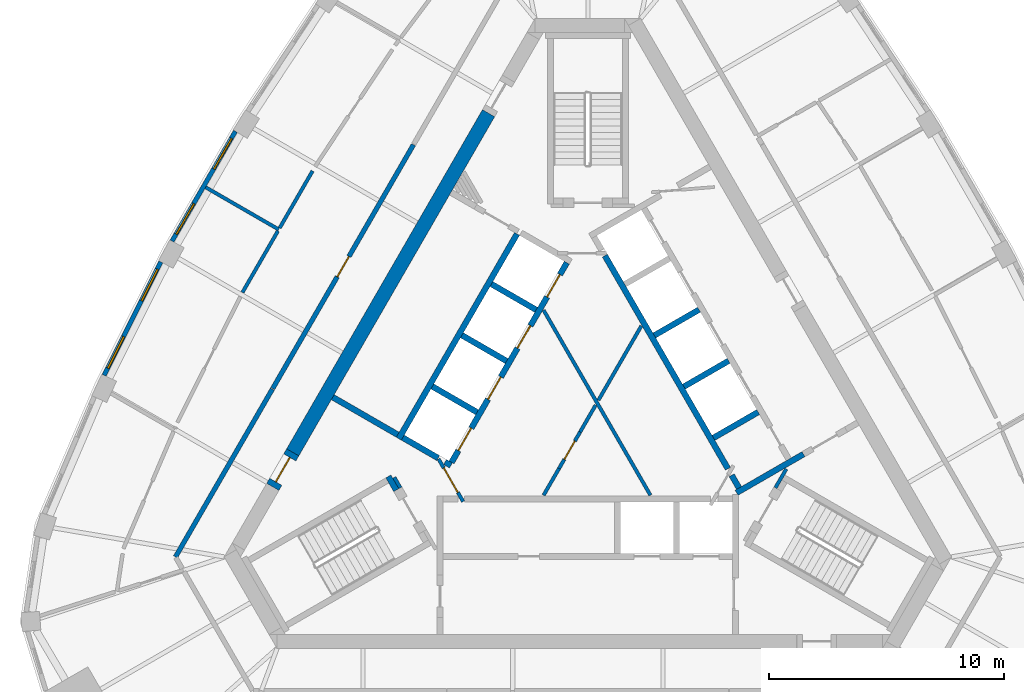
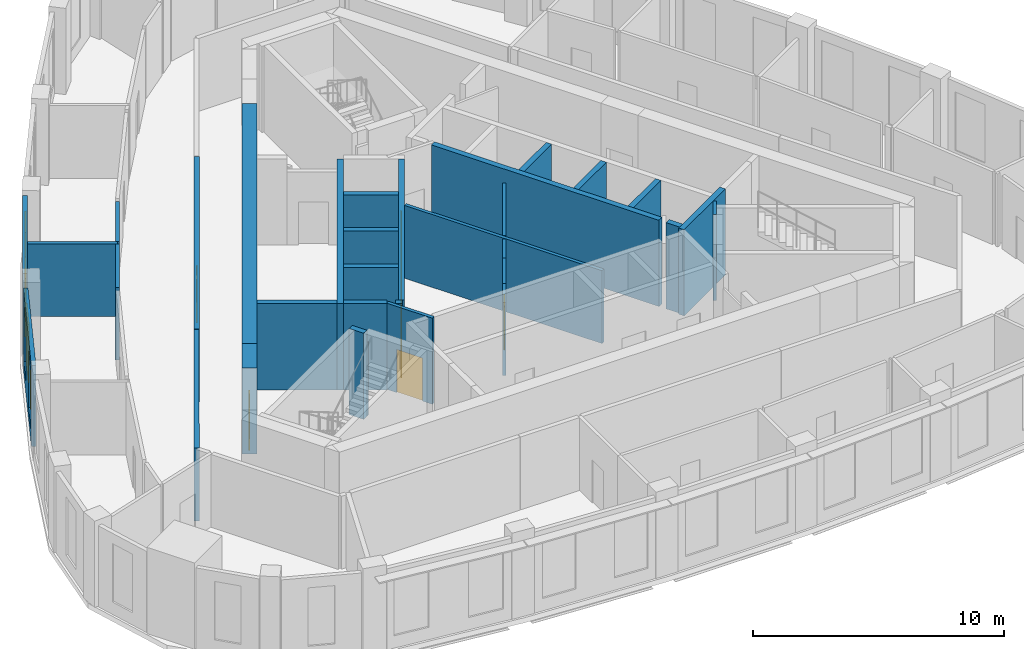
# One storey, part 5 of 10: 32 walls, 8 doors, 4 windows, 12 openings.
"""IFC4 building model written with IfcOpenShell, lengths in metres."""

import ifcopenshell
import ifcopenshell.guid

model = None  # the IFC model being written
_history = None  # IfcOwnerHistory: only IFC2X3 demands one
_inside = {}  # id of a spatial element -> (the spatial element, [elements in it])
_under = {}  # id of a project, library or spatial element -> (it, [spatial elements below it])
_declared = {}  # id of a project -> (the project, [libraries it declares])
_typed = {}  # id of a type object -> (the type object, [elements of that type])
_made_of = {}  # id of a material, layer set ... -> (it, [elements and type objects made of it])


def new_model(schema):
    """Start an empty IFC model of exactly this schema.

    Asked for "IFC4X3", IfcOpenShell would pick the latest addendum, in which some entities
    have other attributes; the version numbers below select the first issue.
    IFC2X3 requires an IfcOwnerHistory on every rooted entity: one is made here for all.
    """
    global model, _history
    if schema == "IFC4X3":
        model = ifcopenshell.file(schema_version=(4, 3, 0, 0))
    else:
        model = ifcopenshell.file(schema=schema)
    _inside.clear()
    _under.clear()
    _declared.clear()
    _typed.clear()
    _made_of.clear()
    _history = None
    if model.schema == "IFC2X3":
        org = make("IfcOrganization", Name="unknown")
        user = make(
            "IfcPersonAndOrganization",
            ThePerson=make("IfcPerson", FamilyName="unknown"),
            TheOrganization=org,
        )
        app = make(
            "IfcApplication",
            ApplicationDeveloper=org,
            Version="unknown",
            ApplicationFullName="unknown",
            ApplicationIdentifier="unknown",
        )
        _history = make(
            "IfcOwnerHistory",
            OwningUser=user,
            OwningApplication=app,
            ChangeAction="ADDED",
            CreationDate=0,
        )
    return model


def make(cls, **values):
    """One entity of the class cls with the attributes given. An attribute that is None is left unset."""
    return model.create_entity(
        cls, **{name: value for name, value in values.items() if value is not None}
    )


def rooted(cls, **values):
    """An entity with a GlobalId (a new one), such as an element, a storey or a relation."""
    return make(cls, GlobalId=ifcopenshell.guid.new(), OwnerHistory=_history, **values)


def si_unit(unit_type, name, prefix=None):
    """IfcSIUnit, for example si_unit("LENGTHUNIT", "METRE", prefix="MILLI")."""
    return make("IfcSIUnit", UnitType=unit_type, Prefix=prefix, Name=name)


def assignment(units):
    """IfcUnitAssignment: the units of a project."""
    return None if units is None else make("IfcUnitAssignment", Units=units)


def point(xyz):
    """IfcCartesianPoint."""
    return None if xyz is None else make("IfcCartesianPoint", Coordinates=xyz)


def direction(xyz):
    """IfcDirection."""
    return None if xyz is None else make("IfcDirection", DirectionRatios=xyz)


def frame(location, z_axis=None, x_axis=None):
    """IfcAxis2Placement3D, a coordinate frame: its origin and axes. An axis left out is left unset."""
    return make(
        "IfcAxis2Placement3D",
        Location=point(location),
        Axis=direction(z_axis),
        RefDirection=direction(x_axis),
    )


def frame_2d(location, x_axis=None):
    """IfcAxis2Placement2D, a coordinate frame in the plane: its origin and x axis."""
    return make(
        "IfcAxis2Placement2D", Location=point(location), RefDirection=direction(x_axis)
    )


def origin():
    """The frame at (0, 0, 0) with its axes left unset."""
    return frame((0.0, 0.0, 0.0))


def place(relative_to, where):
    """IfcLocalPlacement: puts the frame where relative to a parent placement (None: the world)."""
    return make(
        "IfcLocalPlacement", PlacementRelTo=relative_to, RelativePlacement=where
    )


def context(
    kind, dimensions, precision=None, world=None, true_north=None, identifier=None
):
    """IfcGeometricRepresentationContext, for example the 3D "Model" context."""
    return make(
        "IfcGeometricRepresentationContext",
        ContextIdentifier=identifier,
        ContextType=kind,
        CoordinateSpaceDimension=dimensions,
        Precision=precision,
        WorldCoordinateSystem=world,
        TrueNorth=true_north,
    )


def subcontext(parent, identifier, kind, view, scale=None):
    """IfcGeometricRepresentationSubContext, for example "Body" below "Model"."""
    return make(
        "IfcGeometricRepresentationSubContext",
        ContextIdentifier=identifier,
        ContextType=kind,
        ParentContext=parent,
        TargetScale=scale,
        TargetView=view,
    )


def project(units=None, contexts=None):
    """IfcProject with its units and contexts."""
    return rooted(
        "IfcProject",
        Name="project",
        RepresentationContexts=contexts,
        UnitsInContext=assignment(units),
    )


def spatial(cls, under=None, at=None, **own):
    """A site, building, storey or space (cls), placed at a placement, below another one or the project."""
    s = rooted(cls, ObjectPlacement=at, **own)
    if under is not None:
        _under.setdefault(under.id(), (under, []))[1].append(s)
    return s


def profile(cls, at=None, kind="AREA", **sizes):
    """A parametric profile (cls). Its sizes go by their IFC names, for example OverallWidth=200.0."""
    return make(cls, ProfileType=kind, Position=at, **sizes)


def rectangle(**sizes):
    """IfcRectangleProfileDef."""
    return profile("IfcRectangleProfileDef", **sizes)


def extrude(swept, where, along, depth):
    """IfcExtrudedAreaSolid: the profile swept, set in the frame where, extruded along a direction by depth."""
    return make(
        "IfcExtrudedAreaSolid",
        SweptArea=swept,
        Position=where,
        ExtrudedDirection=direction(along),
        Depth=depth,
    )


def shape(context_of_items, identifier, shape_type, items):
    """IfcShapeRepresentation: the items that make up one representation, for example the "Body"."""
    return make(
        "IfcShapeRepresentation",
        ContextOfItems=context_of_items,
        RepresentationIdentifier=identifier,
        RepresentationType=shape_type,
        Items=items,
    )


def material(Name=None, Category=None):
    """IfcMaterial."""
    return make("IfcMaterial", Name=Name, Category=Category)


def layer(
    of_material, thickness, ventilated=None, Name=None, Category=None, Priority=None
):
    """IfcMaterialLayer: one layer of a wall or slab, of a material (None: an air gap)."""
    return make(
        "IfcMaterialLayer",
        Material=of_material,
        LayerThickness=thickness,
        IsVentilated=ventilated,
        Name=Name,
        Category=Category,
        Priority=Priority,
    )


def layer_set(layers, Name=None):
    """IfcMaterialLayerSet."""
    return make("IfcMaterialLayerSet", MaterialLayers=layers, LayerSetName=Name)


def made_of(thing, what):
    """Note that an element or type object is made of a material, layer set ...; save() writes the relation."""
    if what is not None:
        _made_of.setdefault(what.id(), (what, []))[1].append(thing)
    return thing


def type_object(cls, material=None, **own):
    """A type object (cls), such as IfcWallType, which elements share."""
    return made_of(rooted(cls, **own), material)


def element(
    cls,
    number,
    at=None,
    inside=None,
    cuts=None,
    type_object=None,
    material=None,
    context=None,
    identifier="Body",
    shape_type=None,
    held_by="IfcProductDefinitionShape",
    body=None,
    shapes=None,
    **own,
):
    """One element of the class cls, such as IfcWall. Its Tag is "e" and its number.

    at: its placement. inside: the storey or other place that contains it. cuts: it is an
    opening in that element (IfcRelVoidsElement). A single representation is given by context,
    identifier, shape_type and body (its items); several are given by shapes. held_by: the class
    of the entity that holds the representations. save() writes the other relations.
    """
    e = rooted(cls, Tag="e%d" % number, ObjectPlacement=at, **own)
    if body is not None:
        shapes = [shape(context, identifier, shape_type, body)]
    if shapes is not None:
        e.Representation = make(held_by, Representations=shapes)
    if inside is not None:
        _inside.setdefault(inside.id(), (inside, []))[1].append(e)
    if cuts is not None:
        rooted(
            "IfcRelVoidsElement", RelatingBuildingElement=cuts, RelatedOpeningElement=e
        )
    if type_object is not None:
        _typed.setdefault(type_object.id(), (type_object, []))[1].append(e)
    return made_of(e, material)


def fill(opening, filler):
    """IfcRelFillsElement: the door or window that sits in an opening."""
    return rooted(
        "IfcRelFillsElement",
        RelatingOpeningElement=opening,
        RelatedBuildingElement=filler,
    )


def aggregate(whole, parts):
    """IfcRelAggregates: a whole, such as a stair, and the parts it consists of."""
    return rooted("IfcRelAggregates", RelatingObject=whole, RelatedObjects=parts)


def save(model, path):
    """Write the relations noted so far, then the file.

    IfcRelAggregates (storeys below a building ...), IfcRelContainedInSpatialStructure (elements
    in a storey), IfcRelDefinesByType, IfcRelAssociatesMaterial and IfcRelDeclares: one each for
    every whole, place, type object, material and project.
    """
    for whole, parts in _under.values():
        aggregate(whole, parts)
    for where, things in _inside.values():
        rooted(
            "IfcRelContainedInSpatialStructure",
            RelatedElements=things,
            RelatingStructure=where,
        )
    for kind, things in _typed.values():
        rooted("IfcRelDefinesByType", RelatedObjects=things, RelatingType=kind)
    for what, things in _made_of.values():
        rooted("IfcRelAssociatesMaterial", RelatedObjects=things, RelatingMaterial=what)
    for by, libraries in _declared.values():
        rooted("IfcRelDeclares", RelatingContext=by, RelatedDefinitions=libraries)
    model.write(path)


model = new_model("IFC4")

# Units and contexts
model_context = context("Model", 3, precision=1e-05, world=origin(), true_north=direction((0.0, 1.0)))
body_context = subcontext(model_context, "Body", "Model", "MODEL_VIEW")
ifc_project = project(units=[si_unit("LENGTHUNIT", "METRE"), si_unit("AREAUNIT", "SQUARE_METRE"), si_unit("VOLUMEUNIT", "CUBIC_METRE"), si_unit("PLANEANGLEUNIT", "RADIAN"), si_unit("MASSUNIT", "GRAM", prefix="KILO")], contexts=[model_context])

# Site, building, storey
site_placement = place(None, origin())
site = spatial("IfcSite", under=ifc_project, at=site_placement, CompositionType="ELEMENT")
building_placement = place(site_placement, origin())
building = spatial("IfcBuilding", under=site, at=building_placement, Name="Mestral Congress Tower", CompositionType="ELEMENT")
storey_placement = place(building_placement, frame((0.0, 0.0, 271.199951171875)))
storey = spatial("IfcBuildingStorey", under=building, at=storey_placement, Name="L63", CompositionType="ELEMENT", Elevation=271.199951171875)

# Walls
ifc_material_1 = material(Name="Fire-rated board partition")
ifc_layer_1 = layer(ifc_material_1, 0.14990234375)
ifc_layer_set_1 = layer_set([ifc_layer_1], Name="Fire-rated board partition")
wall_type_1 = type_object("IfcWallType", Name="Core partition 150", PredefinedType="PARTITIONING", material=ifc_layer_set_1)
wall_1_placement = place(storey_placement, frame((-8.251953125, -2.958251953125, 0.0), z_axis=(0.0, 0.0, 1.0), x_axis=(0.500174715838, -0.865924508047, 0.0)))
element("IfcWall", 1, at=wall_1_placement, inside=storey, type_object=wall_type_1, Name="L63 core wall", PredefinedType="PARTITIONING", context=body_context, shape_type="SweptSolid", body=[
    extrude(rectangle(XDim=0.513916015625, YDim=0.14990234375, at=frame_2d((0.2568359375, 0.0))), origin(), (0.0, 0.0, 1.0), 3.550048828125),
])
wall_2_placement = place(storey_placement, frame((-1.886962890625, 4.168212890625, 0.0), z_axis=(0.0, 0.0, 1.0), x_axis=(0.499997069472, -0.866027095719, 0.0)))
element("IfcWall", 2, at=wall_2_placement, inside=storey, type_object=wall_type_1, Name="L63 core wall", PredefinedType="PARTITIONING", context=body_context, shape_type="SweptSolid", body=[
    extrude(rectangle(XDim=9.1064453125, YDim=0.14990234375, at=frame_2d((4.55322265625, 0.0))), origin(), (0.0, 0.0, 1.0), 3.550048828125),
])
wall_3_placement = place(storey_placement, frame((-0.329345703125, -1.0205078125, 0.0), z_axis=(0.0, 0.0, 1.0), x_axis=(0.500033191285, 0.866006239939, 0.0)))
element("IfcWall", 3, at=wall_3_placement, inside=storey, type_object=wall_type_1, Name="L63 core wall", PredefinedType="PARTITIONING", context=body_context, shape_type="SweptSolid", body=[
    extrude(rectangle(XDim=1.31494140625, YDim=0.14990234375, at=frame_2d((0.657470703125, 0.0))), origin(), (0.0, 0.0, 1.0), 3.550048828125),
])
wall_4_placement = place(storey_placement, frame((2.276611328125, 3.4931640625, 0.0), z_axis=(0.0, 0.0, 1.0), x_axis=(-0.499994550825, -0.866028549844, 0.0)))
element("IfcWall", 4, at=wall_4_placement, inside=storey, type_object=wall_type_1, Name="L63 core wall", PredefinedType="PARTITIONING", context=body_context, shape_type="SweptSolid", body=[
    extrude(rectangle(XDim=3.650390625, YDim=0.14990234375, at=frame_2d((1.8251953125, 0.0))), origin(), (0.0, 0.0, 1.0), 3.550048828125),
])
wall_5_placement = place(storey_placement, frame((-1.886962890625, -3.71826171875, 0.0), z_axis=(0.0, 0.0, 1.0), x_axis=(0.500033191285, 0.866006239939, 0.0)))
element("IfcWall", 5, at=wall_5_placement, inside=storey, type_object=wall_type_1, Name="L63 core wall", PredefinedType="PARTITIONING", context=body_context, shape_type="SweptSolid", body=[
    extrude(rectangle(XDim=1.31494140625, YDim=0.14990234375, at=frame_2d((0.657470703125, 0.0))), origin(), (0.0, 0.0, 1.0), 3.550048828125),
])

# Wall, opening, door
wall_6_placement = place(storey_placement, frame((-1.2294921875, -2.579345703125, 0.0), z_axis=(0.0, 0.0, 1.0), x_axis=(0.500062916607, 0.865989075817, 0.0)))
wall_6 = element("IfcWall", 6, at=wall_6_placement, inside=storey, type_object=wall_type_1, Name="L63 door wall", PredefinedType="PARTITIONING", context=body_context, shape_type="SweptSolid", body=[
    extrude(rectangle(XDim=1.800048828125, YDim=0.14990234375, at=frame_2d((0.89990234375, 0.0))), origin(), (0.0, 0.0, 1.0), 3.550048828125),
])
opening_1_placement = place(wall_6_placement, frame((0.449951171875, 0.0, 0.0)))
opening_1 = element("IfcOpeningElement", 7, at=opening_1_placement, cuts=wall_6, Name="Opening SD-HUB2", PredefinedType="OPENING", context=body_context, shape_type="SweptSolid", body=[
    extrude(rectangle(XDim=0.89990234375, YDim=2.10009765625, at=frame_2d((0.449951171875, 1.050048828125))), frame((0.0, 0.0849609375, 0.0), z_axis=(0.0, -1.0, 0.0), x_axis=(1.0, 0.0, 0.0)), (0.0, 0.0, 1.0), 0.169921875),
])
ifc_material_2 = material(Name="Fire-rated steel door set", Category="steel")
door_type_1 = type_object("IfcDoorType", Name="Core door SR 900x2100", OperationType="SINGLE_SWING_LEFT", PredefinedType="DOOR", material=ifc_material_2)
door_1_placement = place(opening_1_placement, origin())
door_1 = element("IfcDoor", 8, at=door_1_placement, inside=storey, type_object=door_type_1, Name="Door SD-HUB2", OperationType="SINGLE_SWING_LEFT", OverallHeight=2.10009765625, OverallWidth=0.89990234375, PredefinedType="DOOR", context=body_context, shape_type="SweptSolid", body=[
    extrude(rectangle(XDim=0.89990234375, YDim=2.10009765625, at=frame_2d((0.449951171875, 1.050048828125))), frame((0.0, 0.02490234375, 0.0), z_axis=(0.0, -1.0, 0.0), x_axis=(1.0, 0.0, 0.0)), (0.0, 0.0, 1.0), 0.050048828125),
])
fill(opening_1, door_1)

# Wall
ifc_material_3 = material(Name="Concrete C60/75", Category="concrete")
ifc_layer_2 = layer(ifc_material_3, 0.60009765625)
ifc_layer_set_2 = layer_set([ifc_layer_2], Name="Concrete C60/75")
wall_type_2 = type_object("IfcWallType", Name="Core wall RC 600", PredefinedType="SOLIDWALL", material=ifc_layer_set_2)
wall_7_placement = place(storey_placement, frame((-4.234375, 12.56591796875, 0.0), z_axis=(0.0, 0.0, 1.0), x_axis=(-0.499998841866, -0.866026072432, 0.0)))
element("IfcWall", 9, at=wall_7_placement, inside=storey, type_object=wall_type_2, Name="L63 core wall", PredefinedType="SOLIDWALL", context=body_context, shape_type="SweptSolid", body=[
    extrude(rectangle(XDim=16.6943359375, YDim=0.60009765625, at=frame_2d((8.34716796875, 0.0))), origin(), (0.0, 0.0, 1.0), 4.199951171875),
])

# Wall, opening, door
wall_8_placement = place(storey_placement, frame((-13.431640625, -3.3642578125, 0.0), z_axis=(0.0, 0.0, 1.0), x_axis=(0.500000056704, 0.866025371046, 0.0)))
wall_8 = element("IfcWall", 10, at=wall_8_placement, inside=storey, type_object=wall_type_2, Name="L63 door wall", PredefinedType="SOLIDWALL", context=body_context, shape_type="SweptSolid", body=[
    extrude(rectangle(XDim=1.7001953125, YDim=0.60009765625, at=frame_2d((0.85009765625, 0.0))), origin(), (0.0, 0.0, 1.0), 4.199951171875),
])
opening_2_placement = place(wall_8_placement, frame((0.25, 0.0, 0.0)))
opening_2 = element("IfcOpeningElement", 11, at=opening_2_placement, cuts=wall_8, Name="Opening XD3", PredefinedType="OPENING", context=body_context, shape_type="SweptSolid", body=[
    extrude(rectangle(XDim=1.199951171875, YDim=2.10009765625, at=frame_2d((0.60009765625, 1.050048828125))), frame((0.0, 0.31005859375, 0.0), z_axis=(0.0, -1.0, 0.0), x_axis=(1.0, 0.0, 0.0)), (0.0, 0.0, 1.0), 0.6201171875),
])
door_type_2 = type_object("IfcDoorType", Name="Core door XD 1200x2100", OperationType="SINGLE_SWING_LEFT", PredefinedType="DOOR", material=ifc_material_2)
door_2_placement = place(opening_2_placement, origin())
door_2 = element("IfcDoor", 12, at=door_2_placement, inside=storey, type_object=door_type_2, Name="Door XD3", OperationType="SINGLE_SWING_LEFT", OverallHeight=2.10009765625, OverallWidth=1.199951171875, PredefinedType="DOOR", context=body_context, shape_type="SweptSolid", body=[
    extrude(rectangle(XDim=1.199951171875, YDim=2.10009765625, at=frame_2d((0.60009765625, 1.050048828125))), frame((0.0, 0.02490234375, 0.0), z_axis=(0.0, -1.0, 0.0), x_axis=(1.0, 0.0, 0.0)), (0.0, 0.0, 1.0), 0.050048828125),
])
fill(opening_2, door_2)

# Wall, openings, windows
ifc_material_4 = material(Name="Precast concrete C40/50 with limestone facing", Category="masonry")
ifc_layer_3 = layer(ifc_material_4, 0.18994140625)
ifc_layer_set_3 = layer_set([ifc_layer_3], Name="Precast concrete C40/50 with limestone facing")
wall_type_3 = type_object("IfcWallType", Name="Facade stone wall 190", PredefinedType="SOLIDWALL", material=ifc_layer_set_3)
wall_9_placement = place(storey_placement, frame((-15.025146484375, 11.7958984375, 0.0), z_axis=(0.0, 0.0, 1.0), x_axis=(-0.500024767483, -0.866011103799, 0.0)))
wall_9 = element("IfcWall", 13, at=wall_9_placement, inside=storey, type_object=wall_type_3, Name="Facade wall F2-02", PredefinedType="SOLIDWALL", context=body_context, shape_type="SweptSolid", body=[
    extrude(rectangle(XDim=5.406005859375, YDim=0.18994140625, at=frame_2d((2.703125, 0.0))), origin(), (0.0, 0.0, 1.0), 3.949951171875),
])
opening_3_placement = place(wall_9_placement, frame((0.346435546875, 0.0, 0.60009765625)))
opening_3 = element("IfcOpeningElement", 14, at=opening_3_placement, cuts=wall_9, Name="Opening W6", PredefinedType="OPENING", context=body_context, shape_type="SweptSolid", body=[
    extrude(rectangle(XDim=1.5, YDim=2.85009765625, at=frame_2d((0.75, 1.425048828125))), frame((0.0, 0.10498046875, 0.0), z_axis=(0.0, -1.0, 0.0), x_axis=(1.0, 0.0, 0.0)), (0.0, 0.0, 1.0), 0.2099609375),
])
opening_4_placement = place(wall_9_placement, frame((3.559326171875, 0.0, 0.60009765625)))
opening_4 = element("IfcOpeningElement", 15, at=opening_4_placement, cuts=wall_9, Name="Opening W6", PredefinedType="OPENING", context=body_context, shape_type="SweptSolid", body=[
    extrude(rectangle(XDim=1.5, YDim=2.85009765625, at=frame_2d((0.75, 1.425048828125))), frame((0.0, 0.10498046875, 0.0), z_axis=(0.0, -1.0, 0.0), x_axis=(1.0, 0.0, 0.0)), (0.0, 0.0, 1.0), 0.2099609375),
])
ifc_material_5 = material(Name="Clear low-emissivity double glazing", Category="glass")
window_type = type_object("IfcWindowType", Name="Facade punched window 1500 x 2850 sill 600", PartitioningType="SINGLE_PANEL", PredefinedType="WINDOW", material=ifc_material_5)
window_1_placement = place(opening_3_placement, origin())
window_1 = element("IfcWindow", 16, at=window_1_placement, inside=storey, type_object=window_type, Name="Window F2-02a", OverallHeight=2.85009765625, OverallWidth=1.5, PartitioningType="SINGLE_PANEL", PredefinedType="WINDOW", context=body_context, shape_type="SweptSolid", body=[
    extrude(rectangle(XDim=1.5, YDim=2.85009765625, at=frame_2d((0.75, 1.425048828125))), frame((0.0, 0.044921875, 0.0), z_axis=(0.0, -1.0, 0.0), x_axis=(1.0, 0.0, 0.0)), (0.0, 0.0, 1.0), 0.06005859375),
])
fill(opening_3, window_1)
window_2_placement = place(opening_4_placement, origin())
window_2 = element("IfcWindow", 17, at=window_2_placement, inside=storey, type_object=window_type, Name="Window F2-02b", OverallHeight=2.85009765625, OverallWidth=1.5, PartitioningType="SINGLE_PANEL", PredefinedType="WINDOW", context=body_context, shape_type="SweptSolid", body=[
    extrude(rectangle(XDim=1.5, YDim=2.85009765625, at=frame_2d((0.75, 1.425048828125))), frame((0.0, 0.044921875, 0.0), z_axis=(0.0, -1.0, 0.0), x_axis=(1.0, 0.0, 0.0)), (0.0, 0.0, 1.0), 0.06005859375),
])
fill(opening_4, window_2)

wall_10_placement = place(storey_placement, frame((-18.205810546875, 6.226806640625, 0.0), z_axis=(0.0, 0.0, 1.0), x_axis=(-0.447484531401, -0.894291671747, 0.0)))
wall_10 = element("IfcWall", 18, at=wall_10_placement, inside=storey, type_object=wall_type_3, Name="Facade wall F2-03", PredefinedType="SOLIDWALL", context=body_context, shape_type="SweptSolid", body=[
    extrude(rectangle(XDim=5.40625, YDim=0.18994140625, at=frame_2d((2.703125, 0.0))), origin(), (0.0, 0.0, 1.0), 3.949951171875),
])
opening_5_placement = place(wall_10_placement, frame((0.346435546875, 0.0, 0.60009765625)))
opening_5 = element("IfcOpeningElement", 19, at=opening_5_placement, cuts=wall_10, Name="Opening W6", PredefinedType="OPENING", context=body_context, shape_type="SweptSolid", body=[
    extrude(rectangle(XDim=1.5, YDim=2.85009765625, at=frame_2d((0.75, 1.425048828125))), frame((0.0, 0.10498046875, 0.0), z_axis=(0.0, -1.0, 0.0), x_axis=(1.0, 0.0, 0.0)), (0.0, 0.0, 1.0), 0.2099609375),
])
opening_6_placement = place(wall_10_placement, frame((3.559326171875, 0.0, 0.60009765625)))
opening_6 = element("IfcOpeningElement", 20, at=opening_6_placement, cuts=wall_10, Name="Opening W6", PredefinedType="OPENING", context=body_context, shape_type="SweptSolid", body=[
    extrude(rectangle(XDim=1.5, YDim=2.85009765625, at=frame_2d((0.75, 1.425048828125))), frame((0.0, 0.10498046875, 0.0), z_axis=(0.0, -1.0, 0.0), x_axis=(1.0, 0.0, 0.0)), (0.0, 0.0, 1.0), 0.2099609375),
])
window_3_placement = place(opening_5_placement, origin())
window_3 = element("IfcWindow", 21, at=window_3_placement, inside=storey, type_object=window_type, Name="Window F2-03a", OverallHeight=2.85009765625, OverallWidth=1.5, PartitioningType="SINGLE_PANEL", PredefinedType="WINDOW", context=body_context, shape_type="SweptSolid", body=[
    extrude(rectangle(XDim=1.5, YDim=2.85009765625, at=frame_2d((0.75, 1.425048828125))), frame((0.0, 0.044921875, 0.0), z_axis=(0.0, -1.0, 0.0), x_axis=(1.0, 0.0, 0.0)), (0.0, 0.0, 1.0), 0.06005859375),
])
fill(opening_5, window_3)
window_4_placement = place(opening_6_placement, origin())
window_4 = element("IfcWindow", 22, at=window_4_placement, inside=storey, type_object=window_type, Name="Window F2-03b", OverallHeight=2.85009765625, OverallWidth=1.5, PartitioningType="SINGLE_PANEL", PredefinedType="WINDOW", context=body_context, shape_type="SweptSolid", body=[
    extrude(rectangle(XDim=1.5, YDim=2.85009765625, at=frame_2d((0.75, 1.425048828125))), frame((0.0, 0.044921875, 0.0), z_axis=(0.0, -1.0, 0.0), x_axis=(1.0, 0.0, 0.0)), (0.0, 0.0, 1.0), 0.06005859375),
])
fill(opening_6, window_4)

# Walls
ifc_material_6 = material(Name="Plasterboard partition on steel studs", Category="steel")
ifc_layer_4 = layer(ifc_material_6, 0.14990234375)
ifc_layer_set_4 = layer_set([ifc_layer_4], Name="Plasterboard partition on steel studs")
wall_type_4 = type_object("IfcWallType", Name="Office partition 150", PredefinedType="PARTITIONING", material=ifc_layer_set_4)
wall_11_placement = place(storey_placement, frame((-13.1767578125, 7.607666015625, 0.0), z_axis=(0.0, 0.0, 1.0), x_axis=(-0.866018442252, 0.500012057535, 0.0)))
element("IfcWall", 23, at=wall_11_placement, inside=storey, type_object=wall_type_4, Name="Partition", PredefinedType="PARTITIONING", context=body_context, shape_type="SweptSolid", body=[
    extrude(rectangle(XDim=3.60009765625, YDim=0.14990234375, at=frame_2d((1.800048828125, 0.0))), origin(), (0.0, 0.0, 1.0), 3.550048828125),
])
wall_12_placement = place(storey_placement, frame((-11.735595703125, 10.10400390625, 0.0), z_axis=(0.0, 0.0, 1.0), x_axis=(-0.500011000363, -0.866019052629, 0.0)))
element("IfcWall", 24, at=wall_12_placement, inside=storey, type_object=wall_type_4, Name="Partition", PredefinedType="PARTITIONING", context=body_context, shape_type="SweptSolid", body=[
    extrude(rectangle(XDim=2.8076171875, YDim=0.14990234375, at=frame_2d((1.40380859375, 0.0))), origin(), (0.0, 0.0, 1.0), 3.550048828125),
])
wall_13_placement = place(storey_placement, frame((-13.21435546875, 7.542724609375, 0.0), z_axis=(0.0, 0.0, 1.0), x_axis=(-0.499927597274, -0.866067201483, 0.0)))
element("IfcWall", 25, at=wall_13_placement, inside=storey, type_object=wall_type_4, Name="Partition", PredefinedType="PARTITIONING", context=body_context, shape_type="SweptSolid", body=[
    extrude(rectangle(XDim=3.02197265625, YDim=0.14990234375, at=frame_2d((1.510986328125, 0.0))), origin(), (0.0, 0.0, 1.0), 3.550048828125),
])

# Wall, opening, door
ifc_material_7 = material(Name="Dense masonry wall, plastered", Category="masonry")
ifc_layer_5 = layer(ifc_material_7, 0.199951171875)
ifc_layer_set_5 = layer_set([ifc_layer_5], Name="Dense masonry wall, plastered")
wall_type_5 = type_object("IfcWallType", Name="Office tenancy wall 200", PredefinedType="PARTITIONING", material=ifc_layer_set_5)
wall_14_placement = place(storey_placement, frame((-7.435546875, 11.22119140625, 0.0), z_axis=(0.0, 0.0, 1.0), x_axis=(-0.49999894854, -0.866026010844, 0.0)))
wall_14 = element("IfcWall", 26, at=wall_14_placement, inside=storey, type_object=wall_type_5, Name="Tenancy wall", PredefinedType="PARTITIONING", context=body_context, shape_type="SweptSolid", body=[
    extrude(rectangle(XDim=12.0, YDim=0.199951171875, at=frame_2d((6.0, 0.0))), origin(), (0.0, 0.0, 1.0), 3.550048828125),
])
opening_7_placement = place(wall_14_placement, frame((5.5, 0.0, 0.0)))
opening_7 = element("IfcOpeningElement", 27, at=opening_7_placement, cuts=wall_14, Name="Opening O11-018", PredefinedType="OPENING", context=body_context, shape_type="SweptSolid", body=[
    extrude(rectangle(XDim=1.0, YDim=2.10009765625, at=frame_2d((0.5, 1.050048828125))), frame((0.0, 0.10986328125, 0.0), z_axis=(0.0, -1.0, 0.0), x_axis=(1.0, 0.0, 0.0)), (0.0, 0.0, 1.0), 0.219970703125),
])
ifc_material_8 = material(Name="Fire-rated timber door set", Category="wood")
door_type_3 = type_object("IfcDoorType", Name="Office tenancy entrance door 1000x2100", OperationType="SINGLE_SWING_LEFT", PredefinedType="DOOR", material=ifc_material_8)
door_3_placement = place(opening_7_placement, origin())
door_3 = element("IfcDoor", 28, at=door_3_placement, inside=storey, type_object=door_type_3, Name="Door O11-018", OperationType="SINGLE_SWING_RIGHT", OverallHeight=2.10009765625, OverallWidth=1.0, PredefinedType="DOOR", context=body_context, shape_type="SweptSolid", body=[
    extrude(rectangle(XDim=1.0, YDim=2.10009765625, at=frame_2d((0.5, 1.050048828125))), frame((0.0, 0.02490234375, 0.0), z_axis=(0.0, -1.0, 0.0), x_axis=(1.0, 0.0, 0.0)), (0.0, 0.0, 1.0), 0.050048828125),
])
fill(opening_7, door_3)

# Walls
wall_15_placement = place(storey_placement, frame((-13.45068359375, 0.802978515625, 0.0), z_axis=(0.0, 0.0, 1.0), x_axis=(-0.499982585408, -0.86603545787, 0.0)))
element("IfcWall", 29, at=wall_15_placement, inside=storey, type_object=wall_type_5, Name="Tenancy wall", PredefinedType="PARTITIONING", context=body_context, shape_type="SweptSolid", body=[
    extrude(rectangle(XDim=8.259521484375, YDim=0.199951171875, at=frame_2d((4.1298828125, 0.0))), origin(), (0.0, 0.0, 1.0), 3.550048828125),
])
ifc_layer_6 = layer(ifc_material_3, 0.25)
ifc_layer_set_6 = layer_set([ifc_layer_6], Name="Concrete C60/75")
wall_type_6 = type_object("IfcWallType", Name="Shaft wall RC 250", PredefinedType="SOLIDWALL", material=ifc_layer_set_6)
wall_16_placement = place(storey_placement, frame((9.190185546875, -1.96875, 0.0), z_axis=(0.0, 0.0, 1.0), x_axis=(-0.866057109641, -0.499945079824, 0.0)))
element("IfcWall", 30, at=wall_16_placement, inside=storey, type_object=wall_type_6, Name="L63 core wall", PredefinedType="SOLIDWALL", context=body_context, shape_type="SweptSolid", body=[
    extrude(rectangle(XDim=3.290771484375, YDim=0.25, at=frame_2d((1.6455078125, 0.0))), origin(), (0.0, 0.0, 1.0), 4.199951171875),
])
wall_17_placement = place(storey_placement, frame((6.1298828125, -2.867431640625, 0.0), z_axis=(0.0, 0.0, 1.0), x_axis=(0.500160776593, -0.865932559475, 0.0)))
element("IfcWall", 31, at=wall_17_placement, inside=storey, type_object=wall_type_6, Name="L63 core wall", PredefinedType="SOLIDWALL", context=body_context, shape_type="SweptSolid", body=[
    extrude(rectangle(XDim=0.626708984375, YDim=0.25, at=frame_2d((0.3134765625, 0.0))), origin(), (0.0, 0.0, 1.0), 4.199951171875),
])
wall_18_placement = place(storey_placement, frame((5.970458984375, -2.591064453125, 0.0), z_axis=(0.0, 0.0, 1.0), x_axis=(-0.499994469932, 0.866028596547, 0.0)))
element("IfcWall", 32, at=wall_18_placement, inside=storey, type_object=wall_type_6, Name="L63 core wall", PredefinedType="SOLIDWALL", context=body_context, shape_type="SweptSolid", body=[
    extrude(rectangle(XDim=10.48828125, YDim=0.25, at=frame_2d((5.244140625, 0.0))), origin(), (0.0, 0.0, 1.0), 4.199951171875),
])
for number, where, z_axis, x_axis, name in (
    (33, (2.833984375, 3.091064453125, 0.0), (0.0, 0.0, 1.0), (0.866008176907, 0.50002983664, 0.0), "L63 core wall"),
    (34, (4.093994140625, 0.90869140625, 0.0), (0.0, 0.0, 1.0), (0.866008176907, 0.50002983664, 0.0), "L63 core wall"),
    (35, (5.35400390625, -1.273681640625, 0.0), (0.0, 0.0, 1.0), (0.866008176907, 0.50002983664, 0.0), "L63 core wall"),
):
    element("IfcWall", number, at=place(storey_placement, frame(where, z_axis=z_axis, x_axis=x_axis)), inside=storey, type_object=wall_type_6, Name=name, PredefinedType="SOLIDWALL", context=body_context, shape_type="SweptSolid", body=[
        extrude(rectangle(XDim=2.199951171875, YDim=0.25, at=frame_2d((1.10009765625, 0.0))), origin(), (0.0, 0.0, 1.0), 4.199951171875),
    ])
wall_19_placement = place(storey_placement, frame((-3.02001953125, 7.4189453125, 0.0), z_axis=(0.0, 0.0, 1.0), x_axis=(-0.500022956343, -0.866012149528, 0.0)))
element("IfcWall", 36, at=wall_19_placement, inside=storey, type_object=wall_type_6, Name="L63 core wall", PredefinedType="SOLIDWALL", context=body_context, shape_type="SweptSolid", body=[
    extrude(rectangle(XDim=10.080078125, YDim=0.25, at=frame_2d((5.0400390625, 0.0))), origin(), (0.0, 0.0, 1.0), 4.199951171875),
])
for number, where, z_axis, x_axis, name in (
    (37, (-2.2041015625, 4.182373046875, 0.0), (0.0, 0.0, 1.0), (-0.866008176907, 0.50002983664, 0.0), "L63 core wall"),
    (38, (-5.369384765625, 3.10009765625, 0.0), (0.0, 0.0, 1.0), (0.866008176907, -0.50002983664, 0.0), "L63 core wall"),
    (39, (-4.72412109375, -0.182373046875, 0.0), (0.0, 0.0, 1.0), (-0.866008176907, 0.50002983664, 0.0), "L63 core wall"),
):
    element("IfcWall", number, at=place(storey_placement, frame(where, z_axis=z_axis, x_axis=x_axis)), inside=storey, type_object=wall_type_6, Name=name, PredefinedType="SOLIDWALL", context=body_context, shape_type="SweptSolid", body=[
        extrude(rectangle(XDim=2.199951171875, YDim=0.25, at=frame_2d((1.10009765625, 0.0))), origin(), (0.0, 0.0, 1.0), 4.199951171875),
    ])
wall_20_placement = place(storey_placement, frame((-6.088134765625, -2.3046875, 0.0), z_axis=(0.0, 0.0, 1.0), x_axis=(0.866059450854, -0.499941024108, 0.0)))
element("IfcWall", 40, at=wall_20_placement, inside=storey, type_object=wall_type_6, Name="L63 core wall", PredefinedType="SOLIDWALL", context=body_context, shape_type="SweptSolid", body=[
    extrude(rectangle(XDim=0.2900390625, YDim=0.25, at=frame_2d((0.14501953125, 0.0))), origin(), (0.0, 0.0, 1.0), 4.199951171875),
])
wall_21_placement = place(storey_placement, frame((-7.889404296875, -1.2646484375, 0.0), z_axis=(0.0, 0.0, 1.0), x_axis=(0.865986741702, -0.500066958712, 0.0)))
element("IfcWall", 41, at=wall_21_placement, inside=storey, type_object=wall_type_6, Name="L63 core wall", PredefinedType="SOLIDWALL", context=body_context, shape_type="SweptSolid", body=[
    extrude(rectangle(XDim=1.738037109375, YDim=0.25, at=frame_2d((0.869140625, 0.0))), origin(), (0.0, 0.0, 1.0), 4.199951171875),
])
wall_22_placement = place(storey_placement, frame((-8.10595703125, -1.139892578125, 0.0), z_axis=(0.0, 0.0, 1.0), x_axis=(-0.866008981251, 0.500028443584, 0.0)))
element("IfcWall", 42, at=wall_22_placement, inside=storey, type_object=wall_type_6, Name="L63 core wall", PredefinedType="SOLIDWALL", context=body_context, shape_type="SweptSolid", body=[
    extrude(rectangle(XDim=3.199951171875, YDim=0.25, at=frame_2d((1.60009765625, 0.0))), origin(), (0.0, 0.0, 1.0), 4.199951171875),
])

# Wall, openings, doors
wall_23_placement = place(storey_placement, frame((-0.898193359375, 6.194091796875, 0.0), z_axis=(0.0, 0.0, 1.0), x_axis=(-0.499996202215, -0.866027596426, 0.0)))
wall_23 = element("IfcWall", 43, at=wall_23_placement, inside=storey, type_object=wall_type_6, Name="L63 door wall", PredefinedType="SOLIDWALL", context=body_context, shape_type="SweptSolid", body=[
    extrude(rectangle(XDim=9.830078125, YDim=0.25, at=frame_2d((4.9150390625, 0.0))), origin(), (0.0, 0.0, 1.0), 4.199951171875),
])
opening_8_placement = place(wall_23_placement, frame((0.5849609375, 0.0, 0.0)))
opening_8 = element("IfcOpeningElement", 44, at=opening_8_placement, cuts=wall_23, Name="Opening LD-NWB1", PredefinedType="OPENING", context=body_context, shape_type="SweptSolid", body=[
    extrude(rectangle(XDim=1.10009765625, YDim=2.10009765625, at=frame_2d((0.550048828125, 1.050048828125))), frame((0.0, 0.135009765625, 0.0), z_axis=(0.0, -1.0, 0.0), x_axis=(1.0, 0.0, 0.0)), (0.0, 0.0, 1.0), 0.27001953125),
])
opening_9_placement = place(wall_23_placement, frame((3.10498046875, 0.0, 0.0)))
opening_9 = element("IfcOpeningElement", 45, at=opening_9_placement, cuts=wall_23, Name="Opening LD-NWB2", PredefinedType="OPENING", context=body_context, shape_type="SweptSolid", body=[
    extrude(rectangle(XDim=1.10009765625, YDim=2.10009765625, at=frame_2d((0.550048828125, 1.050048828125))), frame((0.0, 0.135009765625, 0.0), z_axis=(0.0, -1.0, 0.0), x_axis=(1.0, 0.0, 0.0)), (0.0, 0.0, 1.0), 0.27001953125),
])
opening_10_placement = place(wall_23_placement, frame((5.625, 0.0, 0.0)))
opening_10 = element("IfcOpeningElement", 46, at=opening_10_placement, cuts=wall_23, Name="Opening LD-NWB3", PredefinedType="OPENING", context=body_context, shape_type="SweptSolid", body=[
    extrude(rectangle(XDim=1.10009765625, YDim=2.10009765625, at=frame_2d((0.550048828125, 1.050048828125))), frame((0.0, 0.135009765625, 0.0), z_axis=(0.0, -1.0, 0.0), x_axis=(1.0, 0.0, 0.0)), (0.0, 0.0, 1.0), 0.27001953125),
])
opening_11_placement = place(wall_23_placement, frame((8.14501953125, 0.0, 0.0)))
opening_11 = element("IfcOpeningElement", 47, at=opening_11_placement, cuts=wall_23, Name="Opening LD-NWB4", PredefinedType="OPENING", context=body_context, shape_type="SweptSolid", body=[
    extrude(rectangle(XDim=1.10009765625, YDim=2.10009765625, at=frame_2d((0.550048828125, 1.050048828125))), frame((0.0, 0.135009765625, 0.0), z_axis=(0.0, -1.0, 0.0), x_axis=(1.0, 0.0, 0.0)), (0.0, 0.0, 1.0), 0.27001953125),
])
door_type_4 = type_object("IfcDoorType", Name="Core door LD 1100x2100", OperationType="DOUBLE_DOOR_SLIDING", PredefinedType="DOOR", material=ifc_material_2)
door_4_placement = place(opening_8_placement, origin())
door_4 = element("IfcDoor", 48, at=door_4_placement, inside=storey, type_object=door_type_4, Name="Door LD-NWB1", OperationType="DOUBLE_DOOR_SLIDING", OverallHeight=2.10009765625, OverallWidth=1.10009765625, PredefinedType="DOOR", context=body_context, shape_type="SweptSolid", body=[
    extrude(rectangle(XDim=1.10009765625, YDim=2.10009765625, at=frame_2d((0.550048828125, 1.050048828125))), frame((0.0, 0.02490234375, 0.0), z_axis=(0.0, -1.0, 0.0), x_axis=(1.0, 0.0, 0.0)), (0.0, 0.0, 1.0), 0.050048828125),
])
fill(opening_8, door_4)
door_5_placement = place(opening_9_placement, origin())
door_5 = element("IfcDoor", 49, at=door_5_placement, inside=storey, type_object=door_type_4, Name="Door LD-NWB2", OperationType="DOUBLE_DOOR_SLIDING", OverallHeight=2.10009765625, OverallWidth=1.10009765625, PredefinedType="DOOR", context=body_context, shape_type="SweptSolid", body=[
    extrude(rectangle(XDim=1.10009765625, YDim=2.10009765625, at=frame_2d((0.550048828125, 1.050048828125))), frame((0.0, 0.02490234375, 0.0), z_axis=(0.0, -1.0, 0.0), x_axis=(1.0, 0.0, 0.0)), (0.0, 0.0, 1.0), 0.050048828125),
])
fill(opening_9, door_5)
door_6_placement = place(opening_10_placement, origin())
door_6 = element("IfcDoor", 50, at=door_6_placement, inside=storey, type_object=door_type_4, Name="Door LD-NWB3", OperationType="DOUBLE_DOOR_SLIDING", OverallHeight=2.10009765625, OverallWidth=1.10009765625, PredefinedType="DOOR", context=body_context, shape_type="SweptSolid", body=[
    extrude(rectangle(XDim=1.10009765625, YDim=2.10009765625, at=frame_2d((0.550048828125, 1.050048828125))), frame((0.0, 0.02490234375, 0.0), z_axis=(0.0, -1.0, 0.0), x_axis=(1.0, 0.0, 0.0)), (0.0, 0.0, 1.0), 0.050048828125),
])
fill(opening_10, door_6)
door_7_placement = place(opening_11_placement, origin())
door_7 = element("IfcDoor", 51, at=door_7_placement, inside=storey, type_object=door_type_4, Name="Door LD-NWB4", OperationType="DOUBLE_DOOR_SLIDING", OverallHeight=2.10009765625, OverallWidth=1.10009765625, PredefinedType="DOOR", context=body_context, shape_type="SweptSolid", body=[
    extrude(rectangle(XDim=1.10009765625, YDim=2.10009765625, at=frame_2d((0.550048828125, 1.050048828125))), frame((0.0, 0.02490234375, 0.0), z_axis=(0.0, -1.0, 0.0), x_axis=(1.0, 0.0, 0.0)), (0.0, 0.0, 1.0), 0.050048828125),
])
fill(opening_11, door_7)

# Wall
ifc_layer_7 = layer(ifc_material_3, 0.14990234375)
ifc_layer_set_7 = layer_set([ifc_layer_7], Name="Concrete C60/75")
wall_type_7 = type_object("IfcWallType", Name="Shaft wall RC 250 door-wall 150", PredefinedType="SOLIDWALL", material=ifc_layer_set_7)
wall_24_placement = place(storey_placement, frame((8.459228515625, -2.59912109375, 0.0), z_axis=(0.0, 0.0, 1.0), x_axis=(-0.500041054325, -0.866001699761, 0.0)))
element("IfcWall", 52, at=wall_24_placement, inside=storey, type_object=wall_type_7, Name="L63 core wall", PredefinedType="PARTITIONING", context=body_context, shape_type="SweptSolid", body=[
    extrude(rectangle(XDim=0.9287109375, YDim=0.14990234375, at=frame_2d((0.46435546875, 0.0))), origin(), (0.0, 0.0, 1.0), 4.199951171875),
])

# Wall, opening, door
wall_25_placement = place(storey_placement, frame((-5.3173828125, -3.98974609375, 0.0), z_axis=(0.0, 0.0, 1.0), x_axis=(-0.500027713859, 0.866009402589, 0.0)))
wall_25 = element("IfcWall", 53, at=wall_25_placement, inside=storey, type_object=wall_type_7, Name="L63 door wall", PredefinedType="PARTITIONING", context=body_context, shape_type="SweptSolid", body=[
    extrude(rectangle(XDim=2.10009765625, YDim=0.14990234375, at=frame_2d((1.050048828125, 0.0))), origin(), (0.0, 0.0, 1.0), 4.199951171875),
])
opening_12_placement = place(wall_25_placement, frame((0.449951171875, 0.0, 0.0)))
opening_12 = element("IfcOpeningElement", 54, at=opening_12_placement, cuts=wall_25, Name="Opening CD3-FF", PredefinedType="OPENING", context=body_context, shape_type="SweptSolid", body=[
    extrude(rectangle(XDim=1.199951171875, YDim=2.10009765625, at=frame_2d((0.60009765625, 1.050048828125))), frame((0.0, 0.0849609375, 0.0), z_axis=(0.0, -1.0, 0.0), x_axis=(1.0, 0.0, 0.0)), (0.0, 0.0, 1.0), 0.169921875),
])
door_type_5 = type_object("IfcDoorType", Name="Core door CD 1200x2100", OperationType="SINGLE_SWING_LEFT", PredefinedType="DOOR", material=ifc_material_2)
door_8_placement = place(opening_12_placement, origin())
door_8 = element("IfcDoor", 55, at=door_8_placement, inside=storey, type_object=door_type_5, Name="Door CD3-FF", OperationType="SINGLE_SWING_LEFT", OverallHeight=2.10009765625, OverallWidth=1.199951171875, PredefinedType="DOOR", context=body_context, shape_type="SweptSolid", body=[
    extrude(rectangle(XDim=1.199951171875, YDim=2.10009765625, at=frame_2d((0.60009765625, 1.050048828125))), frame((0.0, 0.02490234375, 0.0), z_axis=(0.0, -1.0, 0.0), x_axis=(1.0, 0.0, 0.0)), (0.0, 0.0, 1.0), 0.050048828125),
])
fill(opening_12, door_8)

# Wall
ifc_layer_8 = layer(ifc_material_3, 0.25)
ifc_layer_set_8 = layer_set([ifc_layer_8], Name="Concrete C60/75")
wall_type_8 = type_object("IfcWallType", Name="Stair wall RC 250", PredefinedType="SOLIDWALL", material=ifc_layer_set_8)
wall_26_placement = place(storey_placement, frame((-8.167724609375, -3.503173828125, 0.0), z_axis=(0.0, 0.0, 1.0), x_axis=(-0.499952099219, 0.866053057547, 0.0)))
element("IfcWall", 56, at=wall_26_placement, inside=storey, type_object=wall_type_8, Name="L63 core wall", PredefinedType="SOLIDWALL", context=body_context, shape_type="SweptSolid", body=[
    extrude(rectangle(XDim=0.6748046875, YDim=0.25, at=frame_2d((0.33740234375, 0.0))), origin(), (0.0, 0.0, 1.0), 4.199951171875),
])

save(model, "model.ifc")
